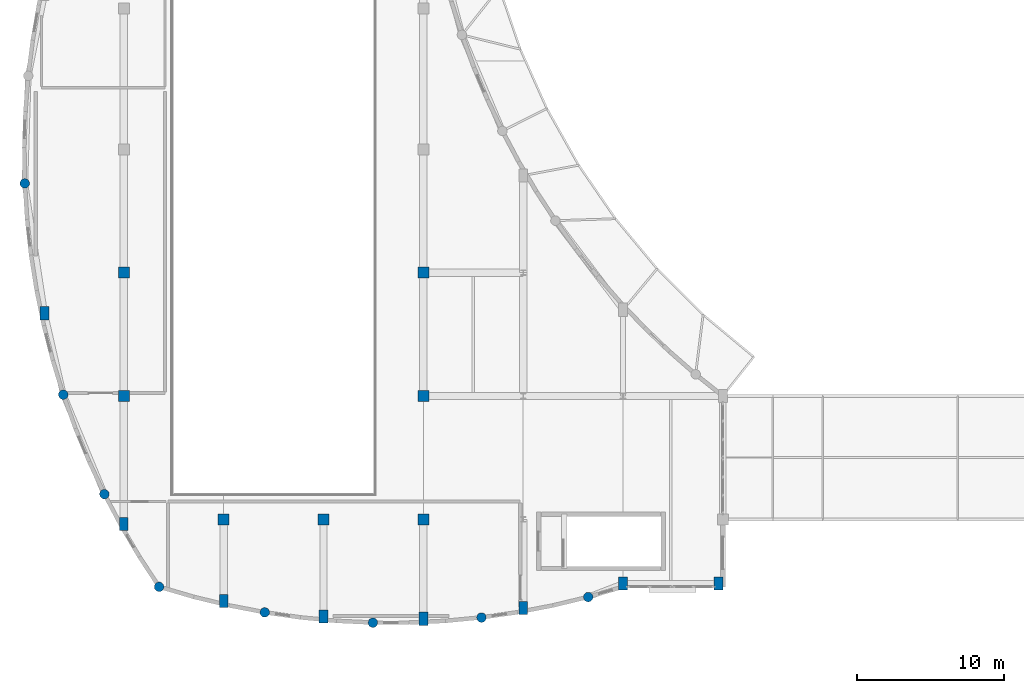
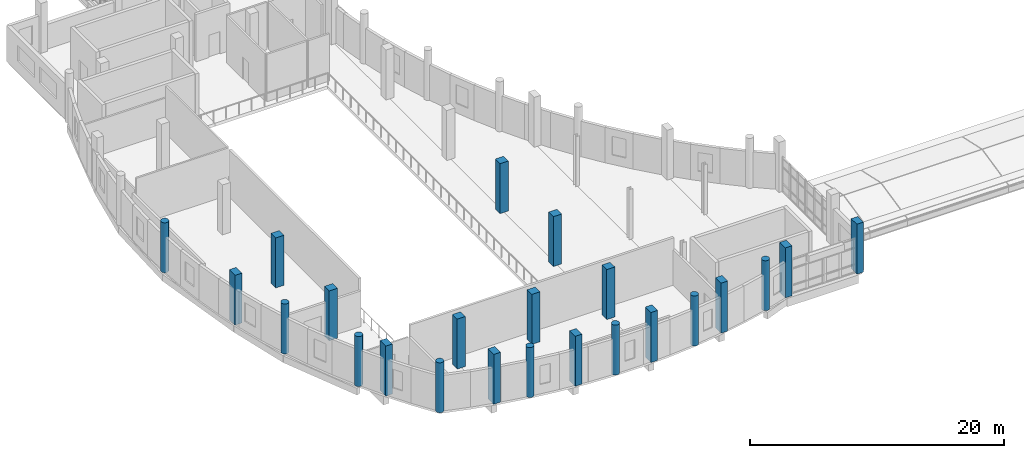
# One storey, part 1 of 106: 23 columns.
"""IFC4 building model written with IfcOpenShell, lengths in metres."""

from ifc_helpers import new_model, si_unit, direction, frame, origin, origin_2d, place, context, subcontext, project, spatial, rectangle, circle, extrude, material, material_profile, profile_set, type_object, element, save


model = new_model("IFC4")

# Units and contexts
model_context = context("Model", 3, precision=1e-05, world=origin(), true_north=direction((0.0, 1.0)))
body_context = subcontext(model_context, "Body", "Model", "MODEL_VIEW")
ifc_project = project(units=[si_unit("LENGTHUNIT", "METRE"), si_unit("AREAUNIT", "SQUARE_METRE"), si_unit("VOLUMEUNIT", "CUBIC_METRE"), si_unit("PLANEANGLEUNIT", "RADIAN"), si_unit("MASSUNIT", "GRAM", prefix="KILO")], contexts=[model_context])

# Site, building, storey
site_placement = place(None, origin())
site = spatial("IfcSite", under=ifc_project, at=site_placement, CompositionType="ELEMENT")
building_placement = place(site_placement, origin())
building = spatial("IfcBuilding", under=site, at=building_placement, Name="Kisaragi Civic Commons", CompositionType="ELEMENT")
storey_placement = place(building_placement, frame((0.0, 0.0, 4.800048828125)))
storey = spatial("IfcBuildingStorey", under=building, at=storey_placement, Name="L01", CompositionType="ELEMENT", Elevation=4.800048828125)

# Columns
ifc_material_1 = material(Name="Concrete Fc36", Category="concrete")
ifc_material_profile_1 = material_profile(ifc_material_1, rectangle(XDim=0.75, YDim=0.75, at=origin_2d()), Name="RC-750x750", Category="concrete")
ifc_profile_set_1 = profile_set([ifc_material_profile_1], Name="Concrete Fc36")
column_type_1 = type_object("IfcColumnType", Name="C-02", PredefinedType="COLUMN", material=ifc_profile_set_1)
for number, where, z_axis, x_axis, name in (
    (1, (6.800048828125, 16.800048828125, 0.0), (0.0, 0.0, 1.0), (1.0, 0.0, 0.0), "L01 column C-02 (6.8,16.8)"),
    (2, (6.800048828125, 25.199951171875, 0.0), (0.0, 0.0, 1.0), (1.0, 0.0, 0.0), "L01 column C-02 (6.8,25.2)"),
    (3, (13.60009765625, 8.39990234375, 0.0), (0.0, 0.0, 1.0), (1.0, 0.0, 0.0), "L01 column C-02 (13.6,8.4)"),
    (4, (20.39990234375, 8.39990234375, 0.0), (0.0, 0.0, 1.0), (1.0, 0.0, 0.0), "L01 column C-02 (20.4,8.4)"),
    (5, (27.199951171875, 8.39990234375, 0.0), (0.0, 0.0, 1.0), (1.0, 0.0, 0.0), "L01 column C-02 (27.2,8.4)"),
    (6, (27.199951171875, 16.800048828125, 0.0), (0.0, 0.0, 1.0), (1.0, 0.0, 0.0), "L01 column C-02 (27.2,16.8)"),
    (7, (27.199951171875, 25.199951171875, 0.0), (0.0, 0.0, 1.0), (1.0, 0.0, 0.0), "L01 column C-02 (27.2,25.2)"),
):
    element("IfcColumn", number, at=place(storey_placement, frame(where, z_axis=z_axis, x_axis=x_axis)), inside=storey, type_object=column_type_1, Name=name, PredefinedType="COLUMN", context=body_context, shape_type="SweptSolid", body=[
        extrude(rectangle(XDim=0.75, YDim=0.75, at=origin_2d()), origin(), (0.0, 0.0, 1.0), 4.800048828125),
    ])
ifc_material_profile_2 = material_profile(ifc_material_1, rectangle(XDim=0.60009765625, YDim=0.89990234375, at=origin_2d()), Name="RC-600x900", Category="concrete")
ifc_profile_set_2 = profile_set([ifc_material_profile_2], Name="Concrete Fc36")
column_type_2 = type_object("IfcColumnType", Name="C-09", PredefinedType="COLUMN", material=ifc_profile_set_2)
for number, where, z_axis, x_axis, name in (
    (8, (1.39990234375, 22.4384765625, 0.0), (0.0, 0.0, 1.0), (1.0, 0.0, 0.0), "L01 column C-09 (1.4,22.4)"),
    (9, (6.800048828125, 8.076171875, 0.0), (0.0, 0.0, 1.0), (1.0, 0.0, 0.0), "L01 column C-09 (6.8,8.1)"),
    (10, (13.60009765625, 2.8408203125, 0.0), (0.0, 0.0, 1.0), (1.0, 0.0, 0.0), "L01 column C-09 (13.6,2.8)"),
    (11, (20.39990234375, 1.780029296875, 0.0), (0.0, 0.0, 1.0), (1.0, 0.0, 0.0), "L01 column C-09 (20.4,1.8)"),
    (12, (27.199951171875, 1.622314453125, 0.0), (0.0, 0.0, 1.0), (1.0, 0.0, 0.0), "L01 column C-09 (27.2,1.6)"),
    (13, (34.0, 2.3583984375, 0.0), (0.0, 0.0, 1.0), (1.0, 0.0, 0.0), "L01 column C-09 (34.0,2.4)"),
    (14, (40.800048828125, 4.02001953125, 0.0), (0.0, 0.0, 1.0), (1.0, 0.0, 0.0), "L01 column C-09 (40.8,4.0)"),
    (15, (47.300048828125, 4.02001953125, 0.0), (0.0, 0.0, 1.0), (1.0, 0.0, 0.0), "L01 column C-09 (47.3,4.0)"),
):
    element("IfcColumn", number, at=place(storey_placement, frame(where, z_axis=z_axis, x_axis=x_axis)), inside=storey, type_object=column_type_2, Name=name, PredefinedType="COLUMN", context=body_context, shape_type="SweptSolid", body=[
        extrude(rectangle(XDim=0.60009765625, YDim=0.89990234375, at=origin_2d()), origin(), (0.0, 0.0, 1.0), 4.800048828125),
    ])
ifc_material_2 = material(Name="Concrete Fc30", Category="concrete")
ifc_material_profile_3 = material_profile(ifc_material_2, circle(Radius=0.324951171875, at=origin_2d()), Name="RC-D650", Category="concrete")
ifc_profile_set_3 = profile_set([ifc_material_profile_3], Name="Concrete Fc30")
column_type_3 = type_object("IfcColumnType", Name="C-12", PredefinedType="COLUMN", material=ifc_profile_set_3)
for number, where, z_axis, x_axis, name in (
    (16, (0.051513671875, 31.277099609375, 0.0), (0.0, 0.0, 1.0), (1.0, 0.0, 0.0), "L01 column C-12 (0.1,31.3)"),
    (17, (2.67431640625, 16.888916015625, 0.0), (0.0, 0.0, 1.0), (1.0, 0.0, 0.0), "L01 column C-12 (2.7,16.9)"),
    (18, (5.474609375, 10.11376953125, 0.0), (0.0, 0.0, 1.0), (1.0, 0.0, 0.0), "L01 column C-12 (5.5,10.1)"),
    (19, (9.199951171875, 3.800048828125, 0.0), (0.0, 0.0, 1.0), (1.0, 0.0, 0.0), "L01 column C-12 (9.2,3.8)"),
    (20, (16.3955078125, 2.058349609375, 0.0), (0.0, 0.0, 1.0), (1.0, 0.0, 0.0), "L01 column C-12 (16.4,2.1)"),
    (21, (23.76513671875, 1.356201171875, 0.0), (0.0, 0.0, 1.0), (1.0, 0.0, 0.0), "L01 column C-12 (23.8,1.4)"),
    (22, (31.159912109375, 1.707763671875, 0.0), (0.0, 0.0, 1.0), (1.0, 0.0, 0.0), "L01 column C-12 (31.2,1.7)"),
    (23, (38.429931640625, 3.105712890625, 0.0), (0.0, 0.0, 1.0), (1.0, 0.0, 0.0), "L01 column C-12 (38.4,3.1)"),
):
    element("IfcColumn", number, at=place(storey_placement, frame(where, z_axis=z_axis, x_axis=x_axis)), inside=storey, type_object=column_type_3, Name=name, PredefinedType="COLUMN", context=body_context, shape_type="SweptSolid", body=[
        extrude(circle(Radius=0.324951171875, at=origin_2d()), origin(), (0.0, 0.0, 1.0), 4.800048828125),
    ])

save(model, "model.ifc")
